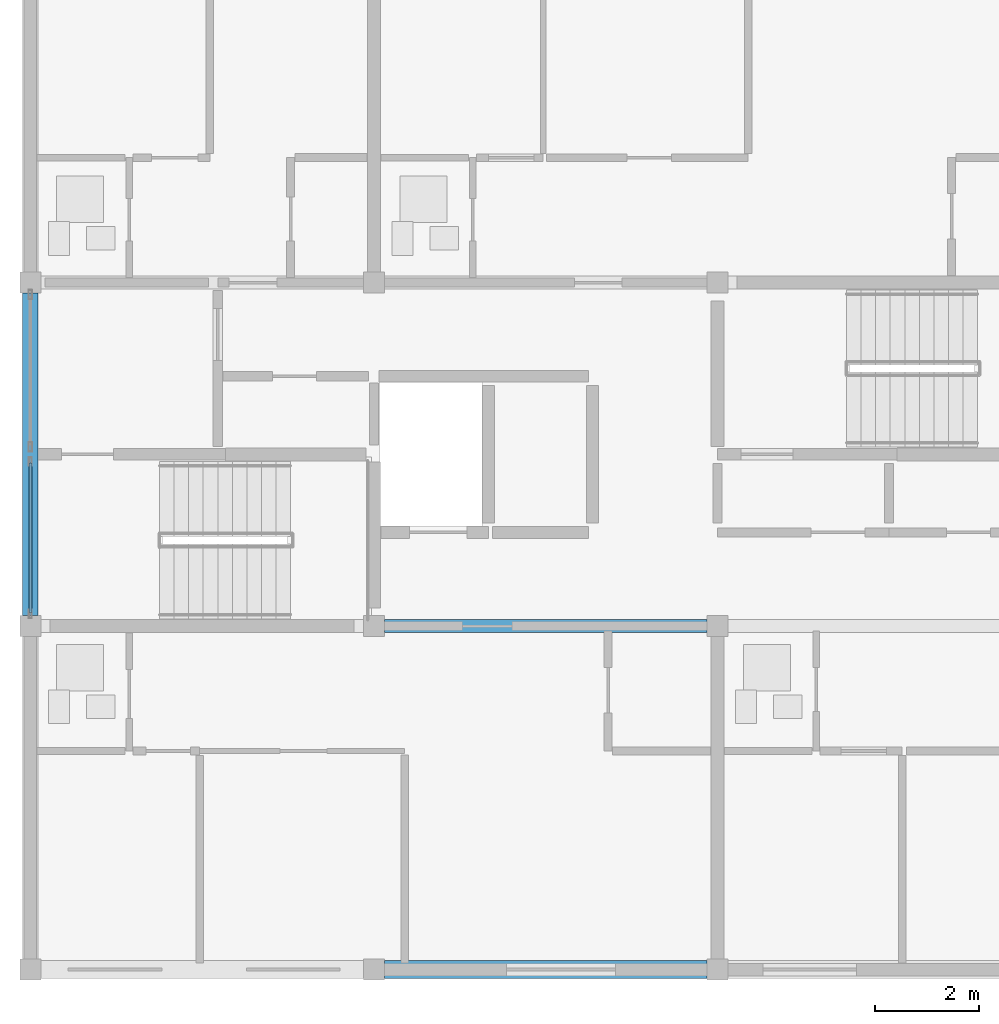
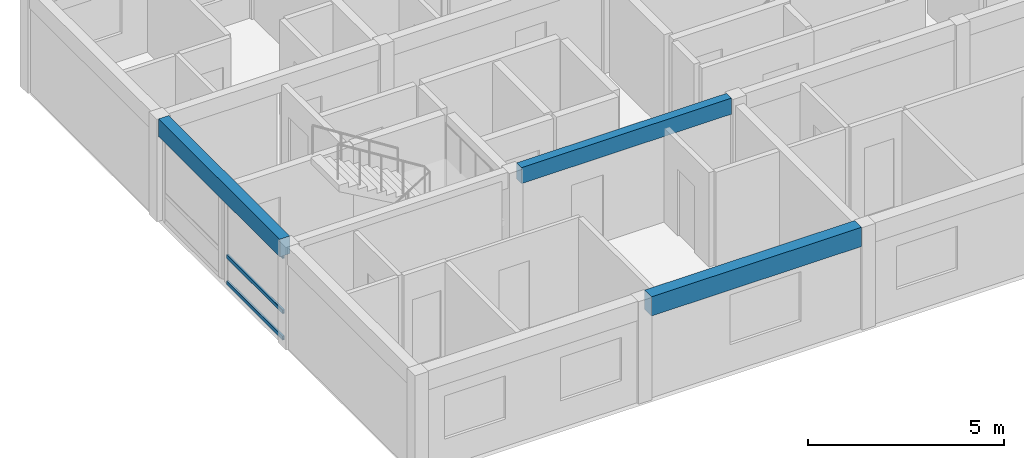
# One storey, part 3 of 12: 3 beams, 3 members, 1 element without a shape of its own.
"""IFC4 building model written with IfcOpenShell, lengths in metres."""

from ifc_helpers import new_model, si_unit, direction, frame, origin, origin_2d, place, context, subcontext, project, spatial, rectangle, hollow_rectangle, extrude, material, material_profile, profile_set, type_object, element, aggregate, save


model = new_model("IFC4")

# Units and contexts
model_context = context("Model", 3, precision=1e-05, world=origin(), true_north=direction((0.0, 1.0)))
body_context = subcontext(model_context, "Body", "Model", "MODEL_VIEW")
ifc_project = project(units=[si_unit("LENGTHUNIT", "METRE"), si_unit("AREAUNIT", "SQUARE_METRE"), si_unit("VOLUMEUNIT", "CUBIC_METRE"), si_unit("PLANEANGLEUNIT", "RADIAN"), si_unit("MASSUNIT", "GRAM", prefix="KILO")], contexts=[model_context])

# Site, building, storey
site_placement = place(None, origin())
site = spatial("IfcSite", under=ifc_project, at=site_placement, CompositionType="ELEMENT")
building_placement = place(site_placement, origin())
building = spatial("IfcBuilding", under=site, at=building_placement, Name="Kernevlak Ridge Housing Community", CompositionType="ELEMENT")
storey_placement = place(building_placement, frame((0.0, 0.0, 53.199951171875)))
storey = spatial("IfcBuildingStorey", under=building, at=storey_placement, Name="L16", CompositionType="ELEMENT", Elevation=53.199951171875)

# Beams
ifc_material_1 = material(Name="Concrete C35/45", Category="concrete")
ifc_material_profile_1 = material_profile(ifc_material_1, rectangle(XDim=0.25, YDim=0.5, at=origin_2d()), Name="RC 250x500")
ifc_profile_set_1 = profile_set([ifc_material_profile_1], Name="Concrete C35/45")
beam_type_1 = type_object("IfcBeamType", Name="B-06", PredefinedType="T_BEAM", material=ifc_profile_set_1)
beam_1_placement = place(storey_placement, frame((22.39990234375, 82.60009765625, 2.949951171875), z_axis=(1.0, 0.0, 0.0), x_axis=(0.0, 1.0, 0.0)))
element("IfcBeam", 1, at=beam_1_placement, inside=storey, type_object=beam_type_1, Name="Beam B-06 L16 479", PredefinedType="T_BEAM", context=body_context, shape_type="SweptSolid", body=[
    extrude(rectangle(XDim=0.25, YDim=0.5, at=origin_2d()), origin(), (0.0, 0.0, 1.0), 6.2001953125),
])
ifc_material_profile_2 = material_profile(ifc_material_1, rectangle(XDim=0.300048828125, YDim=0.550048828125, at=origin_2d()), Name="RC 300x550")
ifc_profile_set_2 = profile_set([ifc_material_profile_2], Name="Concrete C35/45")
beam_type_2 = type_object("IfcBeamType", Name="SP-01", PredefinedType="SPANDREL", material=ifc_profile_set_2)
beam_2_placement = place(storey_placement, frame((15.60009765625, 82.800048828125, 2.925048828125), z_axis=(0.0, 1.0, 0.0), x_axis=(-1.0, 0.0, 0.0)))
element("IfcBeam", 2, at=beam_2_placement, inside=storey, type_object=beam_type_2, Name="Beam SP-01 L16 494", PredefinedType="SPANDREL", context=body_context, shape_type="SweptSolid", body=[
    extrude(rectangle(XDim=0.300048828125, YDim=0.550048828125, at=origin_2d()), origin(), (0.0, 0.0, 1.0), 6.199951171875),
])
ifc_material_profile_3 = material_profile(ifc_material_1, rectangle(XDim=0.35009765625, YDim=0.60009765625, at=origin_2d()), Name="RC 350x600")
ifc_profile_set_3 = profile_set([ifc_material_profile_3], Name="Concrete C35/45")
beam_type_3 = type_object("IfcBeamType", Name="SP-03", PredefinedType="SPANDREL", material=ifc_profile_set_3)
beam_3_placement = place(storey_placement, frame((22.39990234375, 76.0, 2.900146484375), z_axis=(1.0, 0.0, 0.0), x_axis=(0.0, 1.0, 0.0)))
element("IfcBeam", 3, at=beam_3_placement, inside=storey, type_object=beam_type_3, Name="Beam SP-03 L16 474", PredefinedType="SPANDREL", context=body_context, shape_type="SweptSolid", body=[
    extrude(rectangle(XDim=0.35009765625, YDim=0.60009765625, at=origin_2d()), origin(), (0.0, 0.0, 1.0), 6.2001953125),
])

# Curtain wall, members
ifc_material_2 = material(Name="Aluminium EN AW-6060 anodised and laminated glass", Category="aluminium")
curtain_wall_type = type_object("IfcCurtainWallType", Name="CW-01", PredefinedType="NOTDEFINED", material=ifc_material_2)
curtain_wall_placement = place(storey_placement, origin())
curtain_wall = element("IfcCurtainWall", 4, at=curtain_wall_placement, inside=storey, type_object=curtain_wall_type, Name="Curtain wall CW-01 CW-L16-049", PredefinedType="NOTDEFINED")
ifc_material_3 = material(Name="Aluminium EN AW-6060 anodised", Category="aluminium")
ifc_material_profile_4 = material_profile(ifc_material_3, hollow_rectangle(XDim=0.06005859375, YDim=0.1201171875, WallThickness=0.00390625, InnerFilletRadius=0.001953125, OuterFilletRadius=0.00390625, at=origin_2d()), Name="ALU 60x120x4")
ifc_profile_set_4 = profile_set([ifc_material_profile_4], Name="Aluminium EN AW-6060 anodised")
member_type = type_object("IfcMemberType", Name="TM-02", PredefinedType="USERDEFINED", material=ifc_profile_set_4)
member_1_placement = place(storey_placement, frame((15.60009765625, 82.860107421875, 0.030029296875), z_axis=(0.0, 1.0, 0.0), x_axis=(-1.0, 0.0, 0.0)))
member_1 = element("IfcMember", 5, at=member_1_placement, type_object=member_type, Name="CW-01 transom 1.1", ObjectType="TRANSOM", PredefinedType="USERDEFINED", context=body_context, shape_type="SweptSolid", body=[
    extrude(hollow_rectangle(XDim=0.06005859375, YDim=0.1201171875, WallThickness=0.00390625, InnerFilletRadius=0.001953125, OuterFilletRadius=0.00390625, at=origin_2d()), origin(), (0.0, 0.0, 1.0), 2.869873046875),
])
member_2_placement = place(storey_placement, frame((15.60009765625, 82.860107421875, 0.85009765625), z_axis=(0.0, 1.0, 0.0), x_axis=(-1.0, 0.0, 0.0)))
member_2 = element("IfcMember", 6, at=member_2_placement, type_object=member_type, Name="CW-01 transom 1.2", ObjectType="TRANSOM", PredefinedType="USERDEFINED", context=body_context, shape_type="SweptSolid", body=[
    extrude(hollow_rectangle(XDim=0.06005859375, YDim=0.1201171875, WallThickness=0.00390625, InnerFilletRadius=0.001953125, OuterFilletRadius=0.00390625, at=origin_2d()), origin(), (0.0, 0.0, 1.0), 2.869873046875),
])
member_3_placement = place(storey_placement, frame((15.60009765625, 82.860107421875, 2.570068359375), z_axis=(0.0, 1.0, 0.0), x_axis=(-1.0, 0.0, 0.0)))
member_3 = element("IfcMember", 7, at=member_3_placement, type_object=member_type, Name="CW-01 transom 1.3", ObjectType="TRANSOM", PredefinedType="USERDEFINED", context=body_context, shape_type="SweptSolid", body=[
    extrude(hollow_rectangle(XDim=0.06005859375, YDim=0.1201171875, WallThickness=0.00390625, InnerFilletRadius=0.001953125, OuterFilletRadius=0.00390625, at=origin_2d()), origin(), (0.0, 0.0, 1.0), 2.869873046875),
])
aggregate(curtain_wall, [member_1, member_2, member_3])

save(model, "model.ifc")
